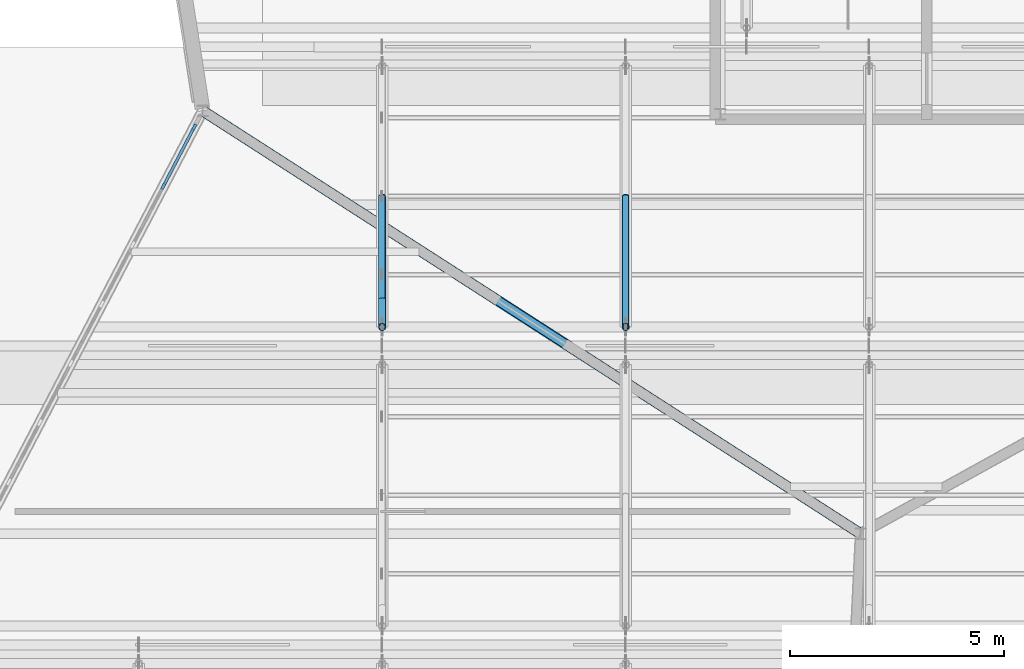
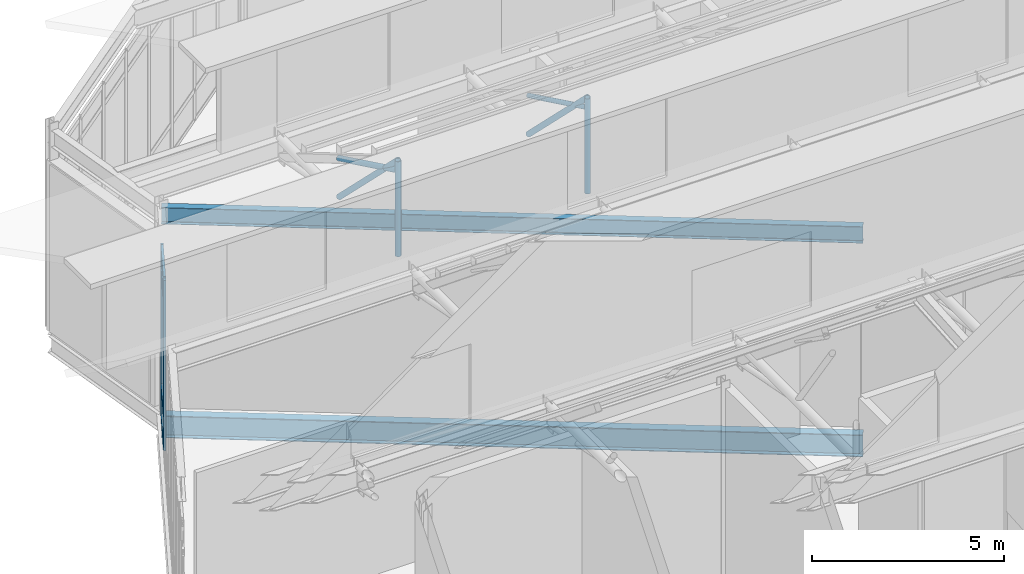
# One storey, part 26 of 55: 12 members, 2 beams, 1 element without a shape of its own.
"""IFC4 building model written with IfcOpenShell, lengths in metres."""

from ifc_helpers import new_model, si_unit, direction, frame, origin, origin_2d, place, context, subcontext, project, spatial, rectangle, hollow_circle, i_section, extrude, material, material_profile, profile_set, type_object, element, aggregate, save


model = new_model("IFC4")

# Units and contexts
model_context = context("Model", 3, precision=1e-05, world=origin(), true_north=direction((0.0, 1.0)))
body_context = subcontext(model_context, "Body", "Model", "MODEL_VIEW")
ifc_project = project(units=[si_unit("LENGTHUNIT", "METRE"), si_unit("AREAUNIT", "SQUARE_METRE"), si_unit("VOLUMEUNIT", "CUBIC_METRE"), si_unit("PLANEANGLEUNIT", "RADIAN"), si_unit("MASSUNIT", "GRAM", prefix="KILO")], contexts=[model_context])

# Site, building, storey
site_placement = place(None, origin())
site = spatial("IfcSite", under=ifc_project, at=site_placement, CompositionType="ELEMENT")
building_placement = place(site_placement, origin())
building = spatial("IfcBuilding", under=site, at=building_placement, Name="Tameran Prism Museum", CompositionType="ELEMENT")
storey_placement = place(building_placement, frame((0.0, 0.0, 28.800048828125)))
storey = spatial("IfcBuildingStorey", under=building, at=storey_placement, Name="L05", CompositionType="ELEMENT", Elevation=28.800048828125)

# Beams
ifc_material_1 = material(Name="Steel Grade 300PLUS (300 MPa)", Category="steel")
ifc_material_profile_1 = material_profile(ifc_material_1, i_section(OverallWidth=0.208984375, OverallDepth=0.528076171875, WebThickness=0.009521484375, FlangeThickness=0.01318359375, FilletRadius=0.013916015625, at=origin_2d()))
ifc_profile_set_1 = profile_set([ifc_material_profile_1])
beam_type_1 = type_object("IfcBeamType", Name="BM-SP530B", PredefinedType="SPANDREL", material=ifc_profile_set_1)
beam_1_placement = place(storey_placement, frame((118.800048828125, 89.10009765625, 6.10595703125), z_axis=(-0.841183241423, 0.540750177392, 0.0), x_axis=(-0.540750177392, -0.841183241423, 0.0)))
element("IfcBeam", 1, at=beam_1_placement, inside=storey, type_object=beam_type_1, Name="Roof Ring Beam RB-1248", PredefinedType="SPANDREL", context=body_context, shape_type="SweptSolid", body=[
    extrude(i_section(OverallWidth=0.208984375, OverallDepth=0.528076171875, WebThickness=0.009521484375, FlangeThickness=0.01318359375, FilletRadius=0.013916015625, at=origin_2d()), origin(), (0.0, 0.0, 1.0), 18.3076171875),
])
ifc_material_2 = material(Name="Steel Grade 350 (350 MPa)", Category="steel")
ifc_material_profile_2 = material_profile(ifc_material_2, i_section(OverallWidth=0.25, OverallDepth=0.699951171875, WebThickness=0.010009765625, FlangeThickness=0.02001953125, at=origin_2d()))
ifc_profile_set_2 = profile_set([ifc_material_profile_2])
beam_type_2 = type_object("IfcBeamType", Name="BM-SP700", PredefinedType="SPANDREL", material=ifc_profile_set_2)
beam_2_placement = place(storey_placement, frame((118.800048828125, 89.10009765625, -0.590087890625), z_axis=(-0.841183241423, 0.540750177392, 0.0), x_axis=(-0.540750177392, -0.841183241423, 0.0)))
element("IfcBeam", 2, at=beam_2_placement, inside=storey, type_object=beam_type_2, Name="Perimeter Spandrel SP-1243", PredefinedType="SPANDREL", context=body_context, shape_type="SweptSolid", body=[
    extrude(i_section(OverallWidth=0.25, OverallDepth=0.699951171875, WebThickness=0.010009765625, FlangeThickness=0.02001953125, at=origin_2d()), origin(), (0.0, 0.0, 1.0), 18.3076171875),
])

# Curtain wall, members
ifc_material_3 = material(Name="Anodised Aluminium 6063-T6 and Cyclone Solar Glass", Category="aluminium")
curtain_wall_type = type_object("IfcCurtainWallType", Name="CW-FAC-2192x542", PredefinedType="USERDEFINED", material=ifc_material_3)
curtain_wall_placement = place(storey_placement, origin())
curtain_wall = element("IfcCurtainWall", 3, at=curtain_wall_placement, inside=storey, type_object=curtain_wall_type, Name="Unitised Curtain Wall CW-164", ObjectType="UNITISED CURTAIN WALL", PredefinedType="USERDEFINED")
ifc_material_4 = material(Name="Anodised Aluminium Alloy 6063-T6", Category="aluminium")
ifc_material_profile_3 = material_profile(ifc_material_4, rectangle(XDim=0.070068359375, YDim=0.179931640625, at=origin_2d()))
ifc_profile_set_3 = profile_set([ifc_material_profile_3])
member_type_1 = type_object("IfcMemberType", Name="CW-MUL-B", PredefinedType="MULLION", material=ifc_profile_set_3)
member_1_placement = place(storey_placement, frame((102.485107421875, 97.249267578125, 0.0), z_axis=(0.0, 0.0, 1.0), x_axis=(-0.886356952612, 0.463002540551, 0.0)))
member_1 = element("IfcMember", 4, at=member_1_placement, type_object=member_type_1, Name="CW-164 mullion 14", PredefinedType="MULLION", context=body_context, shape_type="SweptSolid", body=[
    extrude(rectangle(XDim=0.070068359375, YDim=0.179931640625, at=origin_2d()), origin(), (0.0, 0.0, 1.0), 5.419921875),
])
member_2_placement = place(storey_placement, frame((103.19384765625, 98.60595703125, 0.0), z_axis=(0.0, 0.0, 1.0), x_axis=(-0.886356952612, 0.463002540551, 0.0)))
member_2 = element("IfcMember", 5, at=member_2_placement, type_object=member_type_1, Name="CW-164 mullion 15", PredefinedType="MULLION", context=body_context, shape_type="SweptSolid", body=[
    extrude(rectangle(XDim=0.070068359375, YDim=0.179931640625, at=origin_2d()), origin(), (0.0, 0.0, 1.0), 5.419921875),
])
ifc_material_5 = material(Name="Anodised Aluminium Alloy 6063-T6", Category="aluminium")
ifc_material_profile_4 = material_profile(ifc_material_5, rectangle(XDim=0.070068359375, YDim=0.155029296875, at=origin_2d()))
ifc_profile_set_4 = profile_set([ifc_material_profile_4])
member_type_2 = type_object("IfcMemberType", Name="CW-TRN-B", PredefinedType="USERDEFINED", material=ifc_profile_set_4)
member_3_placement = place(storey_placement, frame((102.50146484375, 97.2802734375, 0.034912109375), z_axis=(0.462857326428, 0.886432792361, 0.0), x_axis=(-0.886432792361, 0.462857326428, 0.0)))
member_3 = element("IfcMember", 6, at=member_3_placement, type_object=member_type_2, Name="CW-164 transom 14.1", ObjectType="TRANSOM", PredefinedType="USERDEFINED", context=body_context, shape_type="SweptSolid", body=[
    extrude(rectangle(XDim=0.070068359375, YDim=0.155029296875, at=origin_2d()), origin(), (0.0, 0.0, 1.0), 1.46044921875),
])
member_4_placement = place(storey_placement, frame((102.50146484375, 97.2802734375, 1.0), z_axis=(0.462857326428, 0.886432792361, 0.0), x_axis=(-0.886432792361, 0.462857326428, 0.0)))
member_4 = element("IfcMember", 7, at=member_4_placement, type_object=member_type_2, Name="CW-164 transom 14.2", ObjectType="TRANSOM", PredefinedType="USERDEFINED", context=body_context, shape_type="SweptSolid", body=[
    extrude(rectangle(XDim=0.070068359375, YDim=0.155029296875, at=origin_2d()), origin(), (0.0, 0.0, 1.0), 1.46044921875),
])
member_5_placement = place(storey_placement, frame((102.50146484375, 97.2802734375, 4.739990234375), z_axis=(0.462857326428, 0.886432792361, 0.0), x_axis=(-0.886432792361, 0.462857326428, 0.0)))
member_5 = element("IfcMember", 8, at=member_5_placement, type_object=member_type_2, Name="CW-164 transom 14.3", ObjectType="TRANSOM", PredefinedType="USERDEFINED", context=body_context, shape_type="SweptSolid", body=[
    extrude(rectangle(XDim=0.070068359375, YDim=0.155029296875, at=origin_2d()), origin(), (0.0, 0.0, 1.0), 1.46044921875),
])
member_6_placement = place(storey_placement, frame((102.50146484375, 97.2802734375, 5.385009765625), z_axis=(0.462857326428, 0.886432792361, 0.0), x_axis=(-0.886432792361, 0.462857326428, 0.0)))
member_6 = element("IfcMember", 9, at=member_6_placement, type_object=member_type_2, Name="CW-164 transom 14.4", ObjectType="TRANSOM", PredefinedType="USERDEFINED", context=body_context, shape_type="SweptSolid", body=[
    extrude(rectangle(XDim=0.070068359375, YDim=0.155029296875, at=origin_2d()), origin(), (0.0, 0.0, 1.0), 1.46044921875),
])
aggregate(curtain_wall, [member_1, member_2, member_3, member_4, member_5, member_6])

# Members
ifc_material_6 = material(Name="Steel Grade C350L0 (350 MPa)", Category="steel")
ifc_material_profile_5 = material_profile(ifc_material_6, hollow_circle(Radius=0.084228515625, WallThickness=0.007080078125, at=origin_2d()))
ifc_profile_set_5 = profile_set([ifc_material_profile_5])
member_type_3 = type_object("IfcMemberType", Name="MM-BR-CHS168", PredefinedType="BRACE", material=ifc_profile_set_5)
member_7_placement = place(storey_placement, frame((107.60009765625, 93.93994140625, 6.385986328125), z_axis=(0.0, 0.0, 1.0), x_axis=(1.0, 0.0, 0.0)))
element("IfcMember", 10, at=member_7_placement, inside=storey, type_object=member_type_3, Name="Sawtooth Brace STM-0115", PredefinedType="BRACE", context=body_context, shape_type="SweptSolid", body=[
    extrude(hollow_circle(Radius=0.084228515625, WallThickness=0.007080078125, at=origin_2d()), origin(), (0.0, 0.0, 1.0), 3.02294921875),
])
member_8_placement = place(storey_placement, frame((107.60009765625, 97.0, 6.385986328125), z_axis=(0.0, -0.711407246691, 0.70278000068), x_axis=(1.0, 0.0, 0.0)))
element("IfcMember", 11, at=member_8_placement, inside=storey, type_object=member_type_3, Name="Sawtooth Brace STM-0117", PredefinedType="BRACE", context=body_context, shape_type="SweptSolid", body=[
    extrude(hollow_circle(Radius=0.084228515625, WallThickness=0.007080078125, at=origin_2d()), origin(), (0.0, 0.0, 1.0), 4.301513671875),
])
member_9_placement = place(storey_placement, frame((113.300048828125, 93.93994140625, 6.385986328125), z_axis=(0.0, 0.0, 1.0), x_axis=(1.0, 0.0, 0.0)))
element("IfcMember", 12, at=member_9_placement, inside=storey, type_object=member_type_3, Name="Sawtooth Brace STM-0122", PredefinedType="BRACE", context=body_context, shape_type="SweptSolid", body=[
    extrude(hollow_circle(Radius=0.084228515625, WallThickness=0.007080078125, at=origin_2d()), origin(), (0.0, 0.0, 1.0), 3.02294921875),
])
member_10_placement = place(storey_placement, frame((113.300048828125, 97.0, 6.385986328125), z_axis=(0.0, -0.711407246691, 0.70278000068), x_axis=(1.0, 0.0, 0.0)))
element("IfcMember", 13, at=member_10_placement, inside=storey, type_object=member_type_3, Name="Sawtooth Brace STM-0124", PredefinedType="BRACE", context=body_context, shape_type="SweptSolid", body=[
    extrude(hollow_circle(Radius=0.084228515625, WallThickness=0.007080078125, at=origin_2d()), origin(), (0.0, 0.0, 1.0), 4.301513671875),
])
ifc_material_7 = material(Name="Steel Grade C350L0 (350 MPa)", Category="steel")
ifc_material_profile_6 = material_profile(ifc_material_7, hollow_circle(Radius=0.06982421875, WallThickness=0.00634765625, at=origin_2d()))
ifc_profile_set_6 = profile_set([ifc_material_profile_6])
member_type_4 = type_object("IfcMemberType", Name="MM-ST-CHS140", PredefinedType="STRUT", material=ifc_profile_set_6)
member_11_placement = place(storey_placement, frame((113.300048828125, 93.93994140625, 9.0888671875), z_axis=(0.0, 0.900239175025, -0.435395713978), x_axis=(-1.0, 0.0, 0.0)))
element("IfcMember", 14, at=member_11_placement, inside=storey, type_object=member_type_4, Name="Sawtooth Strut STM-0126", PredefinedType="STRUT", context=body_context, shape_type="SweptSolid", body=[
    extrude(hollow_circle(Radius=0.06982421875, WallThickness=0.00634765625, at=origin_2d()), origin(), (0.0, 0.0, 1.0), 3.399169921875),
])
ifc_material_8 = material(Name="Steel Grade C350L0 (350 MPa)", Category="steel")
ifc_material_profile_7 = material_profile(ifc_material_8, hollow_circle(Radius=0.084228515625, WallThickness=0.007080078125, at=origin_2d()))
ifc_profile_set_7 = profile_set([ifc_material_profile_7])
member_type_5 = type_object("IfcMemberType", Name="MM-ST-CHS168", PredefinedType="STRUT", material=ifc_profile_set_7)
member_12_placement = place(storey_placement, frame((107.60009765625, 93.93994140625, 9.0888671875), z_axis=(0.0, 0.900239175025, -0.435395713978), x_axis=(-1.0, 0.0, 0.0)))
element("IfcMember", 15, at=member_12_placement, inside=storey, type_object=member_type_5, Name="Sawtooth Strut STM-0119", PredefinedType="STRUT", context=body_context, shape_type="SweptSolid", body=[
    extrude(hollow_circle(Radius=0.084228515625, WallThickness=0.007080078125, at=origin_2d()), origin(), (0.0, 0.0, 1.0), 3.399169921875),
])

save(model, "model.ifc")
